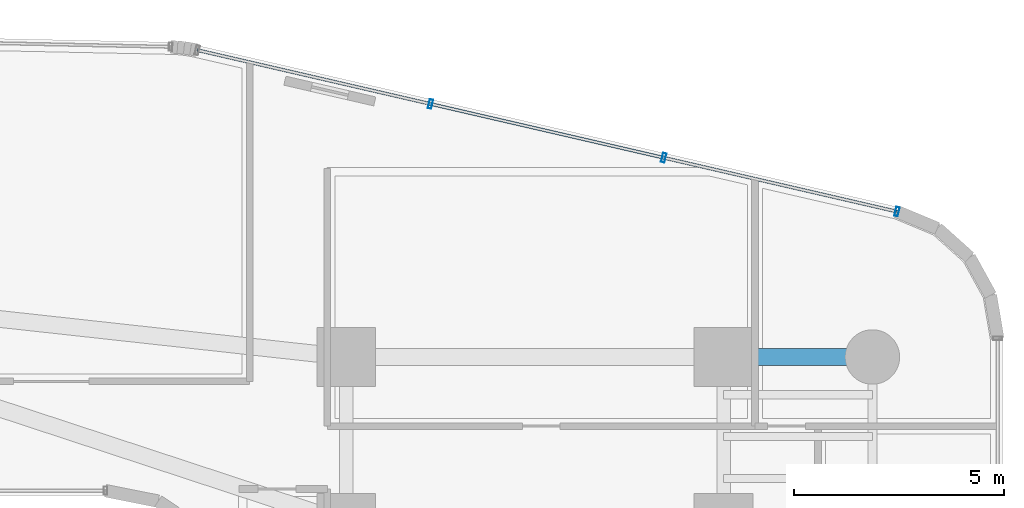
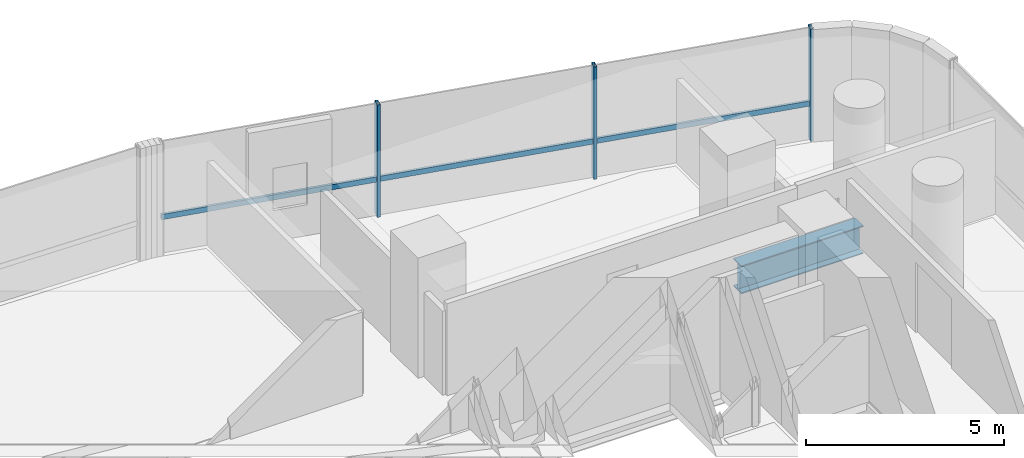
# One storey, part 23 of 39: 4 members, 1 beam, 1 element without a shape of its own.
"""IFC4 building model written with IfcOpenShell, lengths in metres."""

from ifc_helpers import new_model, si_unit, direction, frame, origin, origin_2d, place, context, subcontext, project, spatial, hollow_rectangle, i_section, extrude, source, transform, mapped, material, material_profile, profile_set, type_object, element, aggregate, save


model = new_model("IFC4")

# Units and contexts
model_context = context("Model", 3, precision=1e-05, world=origin(), true_north=direction((0.0, 1.0)))
body_context = subcontext(model_context, "Body", "Model", "MODEL_VIEW")
ifc_project = project(units=[si_unit("LENGTHUNIT", "METRE"), si_unit("AREAUNIT", "SQUARE_METRE"), si_unit("VOLUMEUNIT", "CUBIC_METRE"), si_unit("PLANEANGLEUNIT", "RADIAN"), si_unit("MASSUNIT", "GRAM", prefix="KILO")], contexts=[model_context])

# Site, building, storey
site_placement = place(None, origin())
site = spatial("IfcSite", under=ifc_project, at=site_placement, CompositionType="ELEMENT")
building_placement = place(site_placement, origin())
building = spatial("IfcBuilding", under=site, at=building_placement, Name="Valdorenza Pilgrim Sanctuary Tower", CompositionType="ELEMENT")
storey_placement = place(building_placement, frame((0.0, 0.0, 77.800048828125)))
storey = spatial("IfcBuildingStorey", under=building, at=storey_placement, Name="L19", CompositionType="ELEMENT", Elevation=77.800048828125)

# Beam
ifc_material_1 = material(Name="Steel ASTM A992 Grade 50", Category="steel")
ifc_material_profile_1 = material_profile(ifc_material_1, i_section(OverallWidth=0.39990234375, OverallDepth=0.862060546875, WebThickness=0.019775390625, FlangeThickness=0.032470703125, at=origin_2d()), Name="W33X221")
ifc_profile_set_1 = profile_set([ifc_material_profile_1], Name="Steel ASTM A992 Grade 50")
beam_type = type_object("IfcBeamType", Name="STR-BM-GRD-W33", PredefinedType="BEAM", material=ifc_profile_set_1)
shared_shape_1 = source(origin(), body_context, "Body", "SweptSolid", [
    extrude(i_section(OverallWidth=0.39990234375, OverallDepth=0.862060546875, WebThickness=0.019775390625, FlangeThickness=0.032470703125, at=origin_2d()), origin(), (0.0, 0.0, 1.0), 3.5498046875),
])
beam_placement = place(storey_placement, frame((24.85009765625, 13.5, -0.671142578125), z_axis=(1.0, 0.0, 0.0), x_axis=(0.0, 1.0, 0.0)))
element("IfcBeam", 1, at=beam_placement, inside=storey, type_object=beam_type, Name="L19 Floor Girder WB-XE-N2", PredefinedType="BEAM", context=body_context, shape_type="MappedRepresentation", body=[
    mapped(shared_shape_1, transform((0.0, 0.0, 0.0), x_axis=(1.0, 0.0, 0.0), y_axis=(0.0, 1.0, 0.0), z_axis=(0.0, 0.0, 1.0), scale=1.0)),
])

# Curtain wall, members
ifc_material_2 = material(Name="Curtain-wall IGU glazing", Category="glass")
curtain_wall_type = type_object("IfcCurtainWallType", Name="CW-SYS-03", PredefinedType="NOTDEFINED", material=ifc_material_2)
curtain_wall_placement = place(storey_placement, origin())
curtain_wall = element("IfcCurtainWall", 2, at=curtain_wall_placement, inside=storey, type_object=curtain_wall_type, Name="L19 Curtain Wall CW-L19-1-16", PredefinedType="NOTDEFINED")
ifc_material_3 = material(Name="Anodised aluminium AW-6060", Category="aluminium")
ifc_material_profile_2 = material_profile(ifc_material_3, hollow_rectangle(XDim=0.0849609375, YDim=0.219970703125, WallThickness=0.0048828125, at=origin_2d()), Name="ALU-M 220x85x5")
ifc_profile_set_2 = profile_set([ifc_material_profile_2], Name="Anodised aluminium AW-6060")
member_type_1 = type_object("IfcMemberType", Name="CW-MUL-03", PredefinedType="MULLION", material=ifc_profile_set_2)
shared_shape_2 = source(origin(), body_context, "Body", "SweptSolid", [
    extrude(hollow_rectangle(XDim=0.0849609375, YDim=0.219970703125, WallThickness=0.0048828125, at=origin_2d()), origin(), (0.0, 0.0, 1.0), 3.4599609375),
])
member_1_placement = place(storey_placement, frame((17.861328125, 19.534423828125, 0.0), z_axis=(0.0, 0.0, 1.0), x_axis=(0.974389691758, -0.224866023659, 0.0)))
member_1 = element("IfcMember", 3, at=member_1_placement, type_object=member_type_1, Name="CW-L19-1-16 Mullion 2", PredefinedType="MULLION", context=body_context, shape_type="MappedRepresentation", body=[
    mapped(shared_shape_2, transform((0.0, 0.0, 0.0), x_axis=(1.0, 0.0, 0.0), y_axis=(0.0, 1.0, 0.0), z_axis=(0.0, 0.0, 1.0), scale=1.0)),
])
member_2_placement = place(storey_placement, frame((23.423583984375, 18.2509765625, 0.0), z_axis=(0.0, 0.0, 1.0), x_axis=(0.974389691758, -0.224866023659, 0.0)))
member_2 = element("IfcMember", 4, at=member_2_placement, type_object=member_type_1, Name="CW-L19-1-16 Mullion 3", PredefinedType="MULLION", context=body_context, shape_type="MappedRepresentation", body=[
    mapped(shared_shape_2, transform((0.0, 0.0, 0.0), x_axis=(1.0, 0.0, 0.0), y_axis=(0.0, 1.0, 0.0), z_axis=(0.0, 0.0, 1.0), scale=1.0)),
])
member_3_placement = place(storey_placement, frame((28.98583984375, 16.96728515625, 0.0), z_axis=(0.0, 0.0, 1.0), x_axis=(0.974389691758, -0.224866023659, 0.0)))
member_3 = element("IfcMember", 5, at=member_3_placement, type_object=member_type_1, Name="CW-L19-1-16 Mullion 4", PredefinedType="MULLION", context=body_context, shape_type="MappedRepresentation", body=[
    mapped(shared_shape_2, transform((0.0, 0.0, 0.0), x_axis=(1.0, 0.0, 0.0), y_axis=(0.0, 1.0, 0.0), z_axis=(0.0, 0.0, 1.0), scale=1.0)),
])
ifc_material_profile_3 = material_profile(ifc_material_3, hollow_rectangle(XDim=0.074951171875, YDim=0.159912109375, WallThickness=0.00390625, at=origin_2d()), Name="ALU-T 160x75x4")
ifc_profile_set_3 = profile_set([ifc_material_profile_3], Name="Anodised aluminium AW-6060")
member_type_2 = type_object("IfcMemberType", Name="CW-TRN-03", PredefinedType="USERDEFINED", material=ifc_profile_set_3)
shared_shape_3 = source(origin(), body_context, "Body", "SweptSolid", [
    extrude(hollow_rectangle(XDim=0.074951171875, YDim=0.159912109375, WallThickness=0.00390625, at=origin_2d()), origin(), (0.0, 0.0, 1.0), 17.125244140625),
])
member_4_placement = place(storey_placement, frame((12.299072265625, 20.818115234375, 1.119873046875), z_axis=(0.974390715149, -0.224861589051, 0.0), x_axis=(0.224861589051, 0.974390715149, 0.0)))
member_4 = element("IfcMember", 6, at=member_4_placement, type_object=member_type_2, Name="CW-L19-1-16 Transom 1", ObjectType="TRANSOM", PredefinedType="USERDEFINED", context=body_context, shape_type="MappedRepresentation", body=[
    mapped(shared_shape_3, transform((0.0, 0.0, 0.0), x_axis=(1.0, 0.0, 0.0), y_axis=(0.0, 1.0, 0.0), z_axis=(0.0, 0.0, 1.0), scale=1.0)),
])
aggregate(curtain_wall, [member_1, member_2, member_3, member_4])

save(model, "model.ifc")
